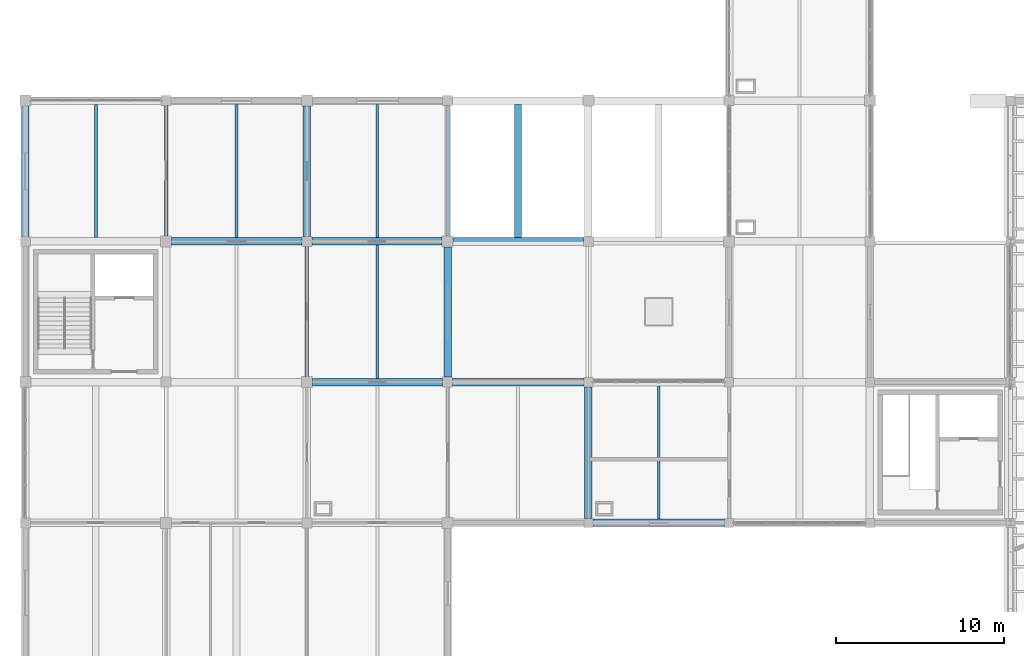
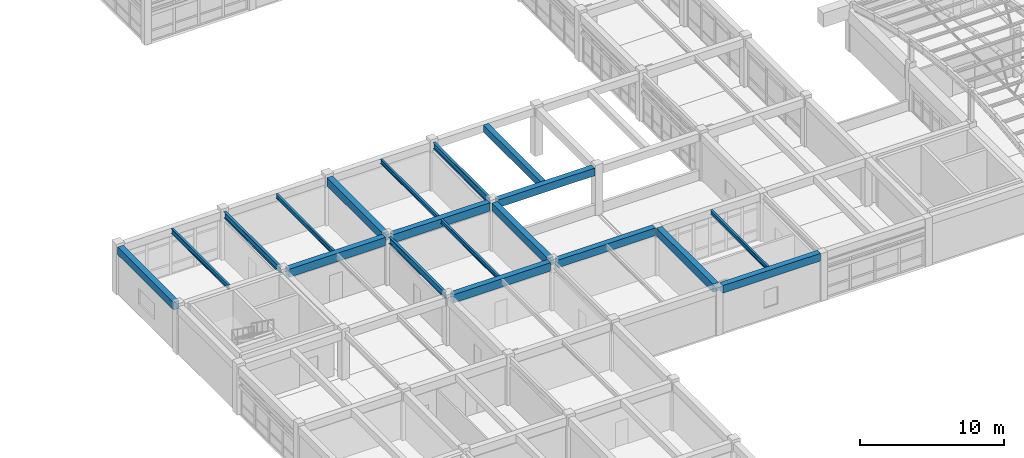
# One storey, part 13 of 74: 19 beams.
"""IFC4 building model written with IfcOpenShell, lengths in metres."""

from ifc_helpers import new_model, si_unit, direction, frame, origin, origin_2d, place, context, subcontext, project, spatial, rectangle, i_section, extrude, material, material_profile, profile_set, type_object, element, save


model = new_model("IFC4")

# Units and contexts
model_context = context("Model", 3, precision=1e-05, world=origin(), true_north=direction((0.0, 1.0)))
body_context = subcontext(model_context, "Body", "Model", "MODEL_VIEW")
ifc_project = project(units=[si_unit("LENGTHUNIT", "METRE"), si_unit("AREAUNIT", "SQUARE_METRE"), si_unit("VOLUMEUNIT", "CUBIC_METRE"), si_unit("PLANEANGLEUNIT", "RADIAN"), si_unit("MASSUNIT", "GRAM", prefix="KILO")], contexts=[model_context])

# Site, building, storey
site_placement = place(None, origin())
site = spatial("IfcSite", under=ifc_project, at=site_placement, CompositionType="ELEMENT")
building_placement = place(site_placement, origin())
building = spatial("IfcBuilding", under=site, at=building_placement, Name="Porcellanite Civic Hall", CompositionType="ELEMENT")
storey_placement = place(building_placement, frame((0.0, 0.0, 14.760009765625)))
storey = spatial("IfcBuildingStorey", under=building, at=storey_placement, Name="L03", CompositionType="ELEMENT", Elevation=14.760009765625)

# Beams
ifc_material_1 = material(Name="Concrete N50 (50 MPa)", Category="concrete")
ifc_material_profile_1 = material_profile(ifc_material_1, rectangle(XDim=0.39990234375, YDim=0.60009765625, at=origin_2d()), Name="RC-400x600")
ifc_profile_set_1 = profile_set([ifc_material_profile_1], Name="Concrete N50 (50 MPa)")
beam_type_1 = type_object("IfcBeamType", Name="BM-RC600", PredefinedType="JOIST", material=ifc_profile_set_1)
beam_1_placement = place(storey_placement, frame((37.800048828125, 67.424560546875, 3.77001953125), z_axis=(0.0, 1.0, 0.0), x_axis=(-1.0, 0.0, 0.0)))
element("IfcBeam", 1, at=beam_1_placement, inside=storey, type_object=beam_type_1, Name="Secondary joist L03 5-9", PredefinedType="JOIST", context=body_context, shape_type="SweptSolid", body=[
    extrude(rectangle(XDim=0.39990234375, YDim=0.60009765625, at=origin_2d()), origin(), (0.0, 0.0, 1.0), 7.950927734375),
])
ifc_material_2 = material(Name="Concrete N50 (50 MPa)", Category="concrete")
ifc_material_profile_2 = material_profile(ifc_material_2, rectangle(XDim=0.449951171875, YDim=0.64990234375, at=origin_2d()), Name="RC-450x650")
ifc_profile_set_2 = profile_set([ifc_material_profile_2], Name="Concrete N50 (50 MPa)")
beam_type_2 = type_object("IfcBeamType", Name="BM-RC650", PredefinedType="SPANDREL", material=ifc_profile_set_2)
beam_2_placement = place(storey_placement, frame((33.8994140625, 58.800048828125, 3.744873046875), z_axis=(1.0, 0.0, 0.0), x_axis=(0.0, 1.0, 0.0)))
element("IfcBeam", 2, at=beam_2_placement, inside=storey, type_object=beam_type_2, Name="Beam X L03 5-8", PredefinedType="SPANDREL", context=body_context, shape_type="SweptSolid", body=[
    extrude(rectangle(XDim=0.449951171875, YDim=0.64990234375, at=origin_2d()), origin(), (0.0, 0.0, 1.0), 7.826171875),
])
beam_3_placement = place(storey_placement, frame((33.924560546875, 67.199951171875, 3.744873046875), z_axis=(1.0, 0.0, 0.0), x_axis=(0.0, 1.0, 0.0)))
element("IfcBeam", 3, at=beam_3_placement, inside=storey, type_object=beam_type_2, Name="Beam X L03 5-9", PredefinedType="SPANDREL", context=body_context, shape_type="SweptSolid", body=[
    extrude(rectangle(XDim=0.449951171875, YDim=0.64990234375, at=origin_2d()), origin(), (0.0, 0.0, 1.0), 7.77587890625),
])
beam_4_placement = place(storey_placement, frame((42.2744140625, 50.39990234375, 3.744873046875), z_axis=(1.0, 0.0, 0.0), x_axis=(0.0, 1.0, 0.0)))
element("IfcBeam", 4, at=beam_4_placement, inside=storey, type_object=beam_type_2, Name="Beam X L03 6-7", PredefinedType="SPANDREL", context=body_context, shape_type="SweptSolid", body=[
    extrude(rectangle(XDim=0.449951171875, YDim=0.64990234375, at=origin_2d()), origin(), (0.0, 0.0, 1.0), 7.85107421875),
])
for number, where, z_axis, x_axis, name in (
    (5, (8.39990234375, 67.49951171875, 3.744873046875), (0.0, 1.0, 0.0), (-1.0, 0.0, 0.0), "Beam Y L03 2-9"),
    (6, (33.60009765625, 59.099609375, 3.744873046875), (0.0, 1.0, 0.0), (-1.0, 0.0, 0.0), "Beam Y L03 5-8"),
):
    element("IfcBeam", number, at=place(storey_placement, frame(where, z_axis=z_axis, x_axis=x_axis)), inside=storey, type_object=beam_type_2, Name=name, PredefinedType="SPANDREL", context=body_context, shape_type="SweptSolid", body=[
        extrude(rectangle(XDim=0.449951171875, YDim=0.64990234375, at=origin_2d()), origin(), (0.0, 0.0, 1.0), 7.77587890625),
    ])
ifc_material_3 = material(Name="Concrete N50 (50 MPa)", Category="concrete")
ifc_material_profile_3 = material_profile(ifc_material_3, rectangle(XDim=0.449951171875, YDim=0.699951171875, at=origin_2d()), Name="RC-450x700")
ifc_profile_set_3 = profile_set([ifc_material_profile_3], Name="Concrete N50 (50 MPa)")
beam_type_3 = type_object("IfcBeamType", Name="BM-RC700", PredefinedType="BEAM", material=ifc_profile_set_3)
beam_5_placement = place(storey_placement, frame((17.12451171875, 67.199951171875, 3.719970703125), z_axis=(1.0, 0.0, 0.0), x_axis=(0.0, 1.0, 0.0)))
element("IfcBeam", 7, at=beam_5_placement, inside=storey, type_object=beam_type_3, Name="Beam X L03 3-9", PredefinedType="BEAM", context=body_context, shape_type="SweptSolid", body=[
    extrude(rectangle(XDim=0.449951171875, YDim=0.699951171875, at=origin_2d()), origin(), (0.0, 0.0, 1.0), 7.77587890625),
])
beam_6_placement = place(storey_placement, frame((25.5244140625, 58.800048828125, 3.719970703125), z_axis=(1.0, 0.0, 0.0), x_axis=(0.0, 1.0, 0.0)))
element("IfcBeam", 8, at=beam_6_placement, inside=storey, type_object=beam_type_3, Name="Beam X L03 4-8", PredefinedType="BEAM", context=body_context, shape_type="SweptSolid", body=[
    extrude(rectangle(XDim=0.449951171875, YDim=0.699951171875, at=origin_2d()), origin(), (0.0, 0.0, 1.0), 7.776123046875),
])
for number, where, z_axis, x_axis, name in (
    (9, (25.49951171875, 67.199951171875, 3.719970703125), (1.0, 0.0, 0.0), (0.0, 1.0, 0.0), "Beam X L03 4-9"),
    (10, (25.199951171875, 67.49951171875, 3.719970703125), (0.0, 1.0, 0.0), (-1.0, 0.0, 0.0), "Beam Y L03 4-9"),
):
    element("IfcBeam", number, at=place(storey_placement, frame(where, z_axis=z_axis, x_axis=x_axis)), inside=storey, type_object=beam_type_3, Name=name, PredefinedType="BEAM", context=body_context, shape_type="SweptSolid", body=[
        extrude(rectangle(XDim=0.449951171875, YDim=0.699951171875, at=origin_2d()), origin(), (0.0, 0.0, 1.0), 7.77587890625),
    ])
beam_7_placement = place(storey_placement, frame((42.0, 50.674560546875, 3.719970703125), z_axis=(0.0, 1.0, 0.0), x_axis=(-1.0, 0.0, 0.0)))
element("IfcBeam", 11, at=beam_7_placement, inside=storey, type_object=beam_type_3, Name="Beam Y L03 6-7", PredefinedType="BEAM", context=body_context, shape_type="SweptSolid", body=[
    extrude(rectangle(XDim=0.449951171875, YDim=0.699951171875, at=origin_2d()), origin(), (0.0, 0.0, 1.0), 7.850830078125),
])
ifc_material_4 = material(Name="Steel Grade 350", Category="steel")
ifc_material_profile_4 = material_profile(ifc_material_4, i_section(OverallWidth=0.1708984375, OverallDepth=0.35595703125, WebThickness=0.00732421875, FlangeThickness=0.011474609375, FilletRadius=0.011474609375, at=origin_2d()), Name="360UB50.7")
ifc_profile_set_4 = profile_set([ifc_material_profile_4], Name="Steel Grade 350")
beam_type_4 = type_object("IfcBeamType", Name="JST-360UB51", PredefinedType="JOIST", material=ifc_profile_set_4)
for number, where, z_axis, x_axis, name in (
    (12, (29.39990234375, 67.424560546875, 3.89208984375), (0.0, 1.0, 0.0), (-1.0, 0.0, 0.0), "Secondary joist L03 4-9"),
    (13, (46.199951171875, 50.62451171875, 3.89208984375), (0.0, 1.0, 0.0), (-1.0, 0.0, 0.0), "Secondary joist L03 6-7"),
):
    element("IfcBeam", number, at=place(storey_placement, frame(where, z_axis=z_axis, x_axis=x_axis)), inside=storey, type_object=beam_type_4, Name=name, PredefinedType="JOIST", context=body_context, shape_type="SweptSolid", body=[
        extrude(i_section(OverallWidth=0.1708984375, OverallDepth=0.35595703125, WebThickness=0.00732421875, FlangeThickness=0.011474609375, FilletRadius=0.011474609375, at=origin_2d()), origin(), (0.0, 0.0, 1.0), 7.950927734375),
    ])
ifc_material_5 = material(Name="Steel Grade 350", Category="steel")
ifc_material_profile_5 = material_profile(ifc_material_5, i_section(OverallWidth=0.172119140625, OverallDepth=0.35888671875, WebThickness=0.008056640625, FlangeThickness=0.012939453125, FilletRadius=0.011474609375, at=origin_2d()), Name="360UB56.7")
ifc_profile_set_5 = profile_set([ifc_material_profile_5], Name="Steel Grade 350")
beam_type_5 = type_object("IfcBeamType", Name="JST-360UB57", PredefinedType="JOIST", material=ifc_profile_set_5)
beam_8_placement = place(storey_placement, frame((21.0, 67.424560546875, 3.890380859375), z_axis=(0.0, 1.0, 0.0), x_axis=(-1.0, 0.0, 0.0)))
element("IfcBeam", 14, at=beam_8_placement, inside=storey, type_object=beam_type_5, Name="Secondary joist L03 3-9", PredefinedType="JOIST", context=body_context, shape_type="SweptSolid", body=[
    extrude(i_section(OverallWidth=0.172119140625, OverallDepth=0.35888671875, WebThickness=0.008056640625, FlangeThickness=0.012939453125, FilletRadius=0.011474609375, at=origin_2d()), origin(), (0.0, 0.0, 1.0), 7.950927734375),
])
beam_9_placement = place(storey_placement, frame((29.39990234375, 59.0244140625, 3.890380859375), z_axis=(0.0, 1.0, 0.0), x_axis=(-1.0, 0.0, 0.0)))
element("IfcBeam", 15, at=beam_9_placement, inside=storey, type_object=beam_type_5, Name="Secondary joist L03 4-8", PredefinedType="JOIST", context=body_context, shape_type="SweptSolid", body=[
    extrude(i_section(OverallWidth=0.172119140625, OverallDepth=0.35888671875, WebThickness=0.008056640625, FlangeThickness=0.012939453125, FilletRadius=0.011474609375, at=origin_2d()), origin(), (0.0, 0.0, 1.0), 7.951171875),
])
ifc_material_6 = material(Name="Steel Grade 350", Category="steel")
ifc_material_profile_6 = material_profile(ifc_material_6, i_section(OverallWidth=0.177978515625, OverallDepth=0.403076171875, WebThickness=0.007568359375, FlangeThickness=0.010986328125, FilletRadius=0.011474609375, at=origin_2d()), Name="410UB53.7")
ifc_profile_set_6 = profile_set([ifc_material_profile_6], Name="Steel Grade 350")
beam_type_6 = type_object("IfcBeamType", Name="JST-410UB54", PredefinedType="JOIST", material=ifc_profile_set_6)
beam_10_placement = place(storey_placement, frame((12.60009765625, 67.424560546875, 3.868408203125), z_axis=(0.0, 1.0, 0.0), x_axis=(-1.0, 0.0, 0.0)))
element("IfcBeam", 16, at=beam_10_placement, inside=storey, type_object=beam_type_6, Name="Secondary joist L03 2-9", PredefinedType="JOIST", context=body_context, shape_type="SweptSolid", body=[
    extrude(i_section(OverallWidth=0.177978515625, OverallDepth=0.403076171875, WebThickness=0.007568359375, FlangeThickness=0.010986328125, FilletRadius=0.011474609375, at=origin_2d()), origin(), (0.0, 0.0, 1.0), 7.950927734375),
])
ifc_material_7 = material(Name="Steel Grade 350", Category="steel")
ifc_material_profile_7 = material_profile(ifc_material_7, i_section(OverallWidth=0.208984375, OverallDepth=0.528076171875, WebThickness=0.009521484375, FlangeThickness=0.01318359375, FilletRadius=0.013916015625, at=origin_2d()), Name="530UB82.0")
ifc_profile_set_7 = profile_set([ifc_material_profile_7], Name="Steel Grade 350")
beam_type_7 = type_object("IfcBeamType", Name="RAF-530UB82", PredefinedType="BEAM", material=ifc_profile_set_7)
beam_11_placement = place(storey_placement, frame((16.800048828125, 67.5244140625, 3.805908203125), z_axis=(0.0, 1.0, 0.0), x_axis=(-1.0, 0.0, 0.0)))
element("IfcBeam", 17, at=beam_11_placement, inside=storey, type_object=beam_type_7, Name="Beam Y L03 3-9", PredefinedType="BEAM", context=body_context, shape_type="SweptSolid", body=[
    extrude(i_section(OverallWidth=0.208984375, OverallDepth=0.528076171875, WebThickness=0.009521484375, FlangeThickness=0.01318359375, FilletRadius=0.013916015625, at=origin_2d()), origin(), (0.0, 0.0, 1.0), 7.776123046875),
])
beam_12_placement = place(storey_placement, frame((25.199951171875, 59.12451171875, 3.805908203125), z_axis=(0.0, 1.0, 0.0), x_axis=(-1.0, 0.0, 0.0)))
element("IfcBeam", 18, at=beam_12_placement, inside=storey, type_object=beam_type_7, Name="Beam Y L03 4-8", PredefinedType="BEAM", context=body_context, shape_type="SweptSolid", body=[
    extrude(i_section(OverallWidth=0.208984375, OverallDepth=0.528076171875, WebThickness=0.009521484375, FlangeThickness=0.01318359375, FilletRadius=0.013916015625, at=origin_2d()), origin(), (0.0, 0.0, 1.0), 7.77587890625),
])
beam_13_placement = place(storey_placement, frame((33.60009765625, 67.5244140625, 3.805908203125), z_axis=(0.0, 1.0, 0.0), x_axis=(-1.0, 0.0, 0.0)))
element("IfcBeam", 19, at=beam_13_placement, inside=storey, type_object=beam_type_7, Name="Beam Y L03 5-9", PredefinedType="BEAM", context=body_context, shape_type="SweptSolid", body=[
    extrude(i_section(OverallWidth=0.208984375, OverallDepth=0.528076171875, WebThickness=0.009521484375, FlangeThickness=0.01318359375, FilletRadius=0.013916015625, at=origin_2d()), origin(), (0.0, 0.0, 1.0), 7.776123046875),
])

save(model, "model.ifc")
